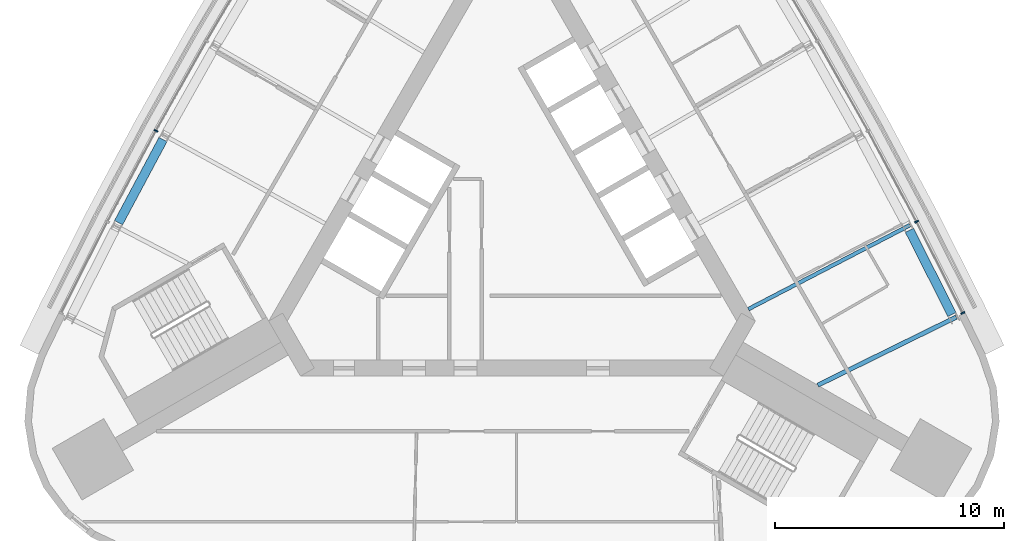
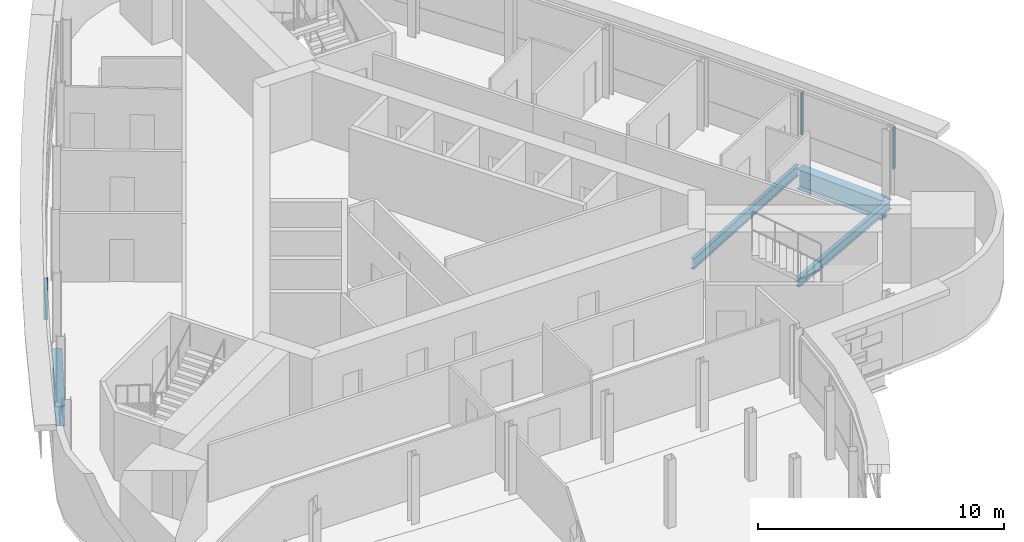
# One storey, part 5 of 14: 4 beams, 3 members, 2 elements without a shape of their own.
"""IFC4 building model written with IfcOpenShell, lengths in metres."""

from ifc_helpers import new_model, si_unit, direction, frame, origin, origin_2d, place, context, subcontext, project, spatial, rectangle, i_section, extrude, material, material_profile, profile_set, type_object, element, aggregate, save


model = new_model("IFC4")

# Units and contexts
model_context = context("Model", 3, precision=1e-05, world=origin(), true_north=direction((0.0, 1.0)))
body_context = subcontext(model_context, "Body", "Model", "MODEL_VIEW")
ifc_project = project(units=[si_unit("LENGTHUNIT", "METRE"), si_unit("AREAUNIT", "SQUARE_METRE"), si_unit("VOLUMEUNIT", "CUBIC_METRE"), si_unit("PLANEANGLEUNIT", "RADIAN"), si_unit("MASSUNIT", "GRAM", prefix="KILO")], contexts=[model_context])

# Site, building, storey
site_placement = place(None, origin())
site = spatial("IfcSite", under=ifc_project, at=site_placement, CompositionType="ELEMENT")
building_placement = place(site_placement, origin())
building = spatial("IfcBuilding", under=site, at=building_placement, Name="Noor Cloister Tower", CompositionType="ELEMENT")
storey_placement = place(building_placement, frame((0.0, 0.0, 214.800048828125)))
storey = spatial("IfcBuildingStorey", under=building, at=storey_placement, Name="L55", CompositionType="ELEMENT", Elevation=214.800048828125)

# Beams
ifc_material_1 = material(Name="Steel ASTM A992 Gr 50", Category="steel")
ifc_material_profile_1 = material_profile(ifc_material_1, i_section(OverallWidth=0.40087890625, OverallDepth=0.98291015625, WebThickness=0.0166015625, FlangeThickness=0.027099609375, FilletRadius=0.030029296875, at=origin_2d()), Name="W1000x296")
ifc_profile_set_1 = profile_set([ifc_material_profile_1], Name="Steel ASTM A992 Gr 50")
beam_type_1 = type_object("IfcBeamType", Name="Belt chord girder W1000x296", PredefinedType="BEAM", material=ifc_profile_set_1)
for number, where, z_axis, x_axis, name in (
    (1, (-15.227294921875, 3.39453125, -0.691650390625), (-0.471000859452, -0.882132751005, 0.0), (0.882132751005, -0.471000859452, 0.0), "Spandrel beam NW 05 L55"),
    (2, (19.194580078125, -4.23779296875, -0.691650390625), (-0.451362231773, 0.892340818146, 0.0), (-0.892340818146, -0.451362231773, 0.0), "Spandrel beam NE 01 L55"),
):
    element("IfcBeam", number, at=place(storey_placement, frame(where, z_axis=z_axis, x_axis=x_axis)), inside=storey, type_object=beam_type_1, Name=name, PredefinedType="BEAM", context=body_context, shape_type="SweptSolid", body=[
        extrude(i_section(OverallWidth=0.40087890625, OverallDepth=0.98291015625, WebThickness=0.0166015625, FlangeThickness=0.027099609375, FilletRadius=0.030029296875, at=origin_2d()), origin(), (0.0, 0.0, 1.0), 4.114501953125),
    ])

# Curtain wall, member
ifc_material_2 = material(Name="Aluminium 6063-T6 anodised", Category="aluminium")
curtain_wall_type = type_object("IfcCurtainWallType", Name="Ribbon curtain wall, upper tower CW5", PredefinedType="NOTDEFINED", material=ifc_material_2)
curtain_wall_1_placement = place(storey_placement, origin())
curtain_wall_1 = element("IfcCurtainWall", 3, at=curtain_wall_1_placement, inside=storey, type_object=curtain_wall_type, Name="CW5 L55 NW run 1", PredefinedType="NOTDEFINED")
ifc_material_3 = material(Name="Aluminium 6063-T6 anodised", Category="aluminium")
ifc_material_profile_2 = material_profile(ifc_material_3, rectangle(XDim=0.179931640625, YDim=0.070068359375, at=origin_2d()), Name="180 x 70 mullion")
ifc_profile_set_2 = profile_set([ifc_material_profile_2], Name="Aluminium 6063-T6 anodised")
member_type = type_object("IfcMemberType", Name="Mullion CW5 70 x 180", PredefinedType="MULLION", material=ifc_profile_set_2)
member_1_placement = place(storey_placement, frame((-15.5341796875, 3.775390625, 1.099853515625), z_axis=(0.0, 0.0, 1.0), x_axis=(0.8768790948, -0.480710987083, 0.0)))
member_1 = element("IfcMember", 4, at=member_1_placement, type_object=member_type, Name="CW5 mullion 5", PredefinedType="MULLION", context=body_context, shape_type="SweptSolid", body=[
    extrude(rectangle(XDim=0.179931640625, YDim=0.070068359375, at=origin_2d()), origin(), (0.0, 0.0, 1.0), 2.050048828125),
])
aggregate(curtain_wall_1, [member_1])

# Curtain wall, members
curtain_wall_2_placement = place(storey_placement, origin())
curtain_wall_2 = element("IfcCurtainWall", 5, at=curtain_wall_2_placement, inside=storey, type_object=curtain_wall_type, Name="CW5 L55 NE run 4", PredefinedType="NOTDEFINED")
member_2_placement = place(storey_placement, frame((19.667236328125, -4.175537109375, 1.099853515625), z_axis=(0.0, 0.0, 1.0), x_axis=(-0.892352618471, -0.451338901833, 0.0)))
member_2 = element("IfcMember", 6, at=member_2_placement, type_object=member_type, Name="CW5 mullion 1", PredefinedType="MULLION", context=body_context, shape_type="SweptSolid", body=[
    extrude(rectangle(XDim=0.179931640625, YDim=0.070068359375, at=origin_2d()), origin(), (0.0, 0.0, 1.0), 2.050048828125),
])
member_3_placement = place(storey_placement, frame((17.652587890625, -0.192138671875, 1.099853515625), z_axis=(0.0, 0.0, 1.0), x_axis=(-0.887303238306, -0.461186473449, 0.0)))
member_3 = element("IfcMember", 7, at=member_3_placement, type_object=member_type, Name="CW5 mullion 2", PredefinedType="MULLION", context=body_context, shape_type="SweptSolid", body=[
    extrude(rectangle(XDim=0.179931640625, YDim=0.070068359375, at=origin_2d()), origin(), (0.0, 0.0, 1.0), 2.050048828125),
])
aggregate(curtain_wall_2, [member_2, member_3])

# Beams
ifc_material_4 = material(Name="Steel ASTM A992 Gr 50", Category="steel")
ifc_material_profile_3 = material_profile(ifc_material_4, i_section(OverallWidth=0.19091796875, OverallDepth=0.45703125, WebThickness=0.009033203125, FlangeThickness=0.014404296875, FilletRadius=0.01025390625, at=origin_2d()), Name="W460x74")
ifc_profile_set_3 = profile_set([ifc_material_profile_3], Name="Steel ASTM A992 Gr 50")
beam_type_2 = type_object("IfcBeamType", Name="Radial beam W460x74", PredefinedType="BEAM", material=ifc_profile_set_3)
beam_1_placement = place(storey_placement, frame((19.3828125, -4.35302734375, -0.428466796875), z_axis=(-0.897293950697, -0.44143353525, 0.0), x_axis=(0.44143353525, -0.897293950697, 0.0)))
element("IfcBeam", 8, at=beam_1_placement, inside=storey, type_object=beam_type_2, Name="Radial beam NE 01 L55", PredefinedType="BEAM", context=body_context, shape_type="SweptSolid", body=[
    extrude(i_section(OverallWidth=0.19091796875, OverallDepth=0.45703125, WebThickness=0.009033203125, FlangeThickness=0.014404296875, FilletRadius=0.01025390625, at=origin_2d()), origin(), (0.0, 0.0, 1.0), 6.735107421875),
])
ifc_material_5 = material(Name="Steel ASTM A992 Gr 50", Category="steel")
ifc_material_profile_4 = material_profile(ifc_material_5, i_section(OverallWidth=0.166015625, OverallDepth=0.528076171875, WebThickness=0.009765625, FlangeThickness=0.013671875, FilletRadius=0.0126953125, at=origin_2d()), Name="W530x74")
ifc_profile_set_4 = profile_set([ifc_material_profile_4], Name="Steel ASTM A992 Gr 50")
beam_type_3 = type_object("IfcBeamType", Name="Radial beam W530x74", PredefinedType="BEAM", material=ifc_profile_set_4)
beam_2_placement = place(storey_placement, frame((17.356201171875, -0.34619140625, -0.464111328125), z_axis=(-0.887304410433, -0.461184218318, 0.0), x_axis=(0.461184218318, -0.887304410433, 0.0)))
element("IfcBeam", 9, at=beam_2_placement, inside=storey, type_object=beam_type_3, Name="Radial beam NE 02 L55", PredefinedType="BEAM", context=body_context, shape_type="SweptSolid", body=[
    extrude(i_section(OverallWidth=0.166015625, OverallDepth=0.528076171875, WebThickness=0.009765625, FlangeThickness=0.013671875, FilletRadius=0.0126953125, at=origin_2d()), origin(), (0.0, 0.0, 1.0), 7.9375),
])

save(model, "model.ifc")
